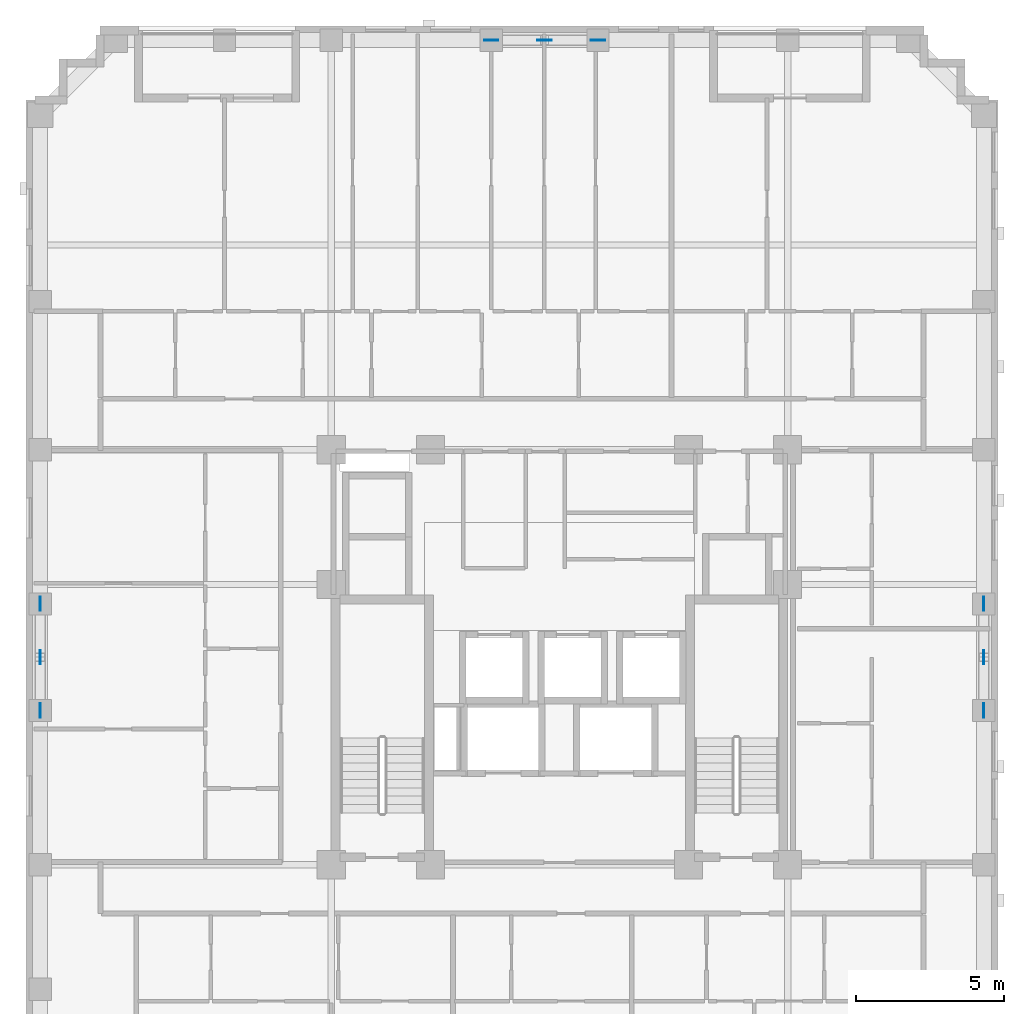
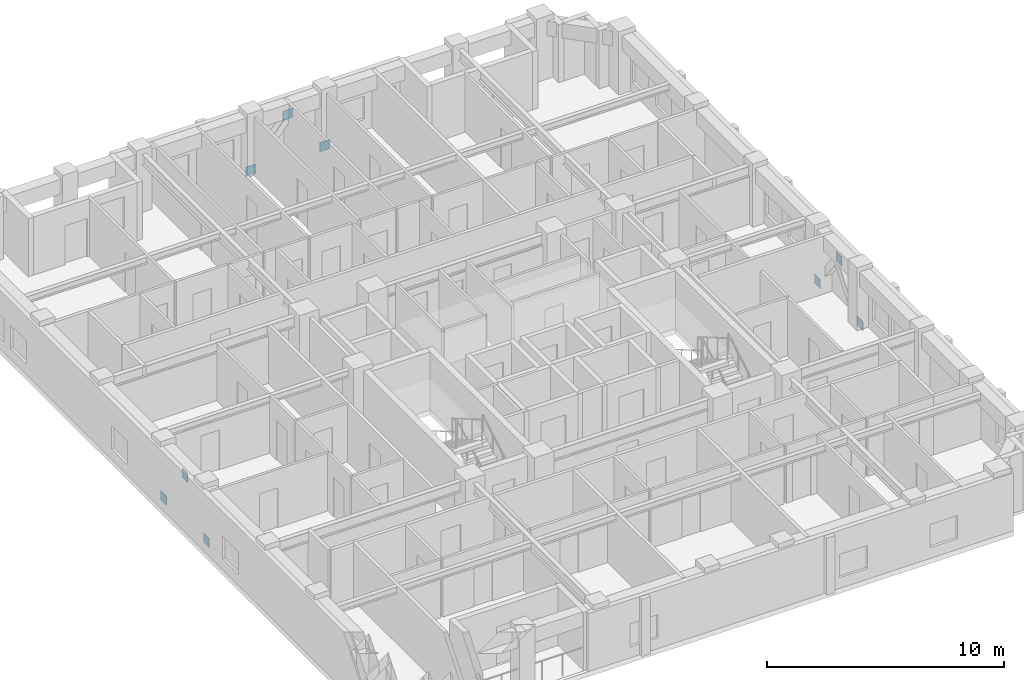
# One storey, part 9 of 11: 9 discrete accessories.
"""IFC4 building model written with IfcOpenShell, lengths in metres."""

from ifc_helpers import new_model, si_unit, derived_unit, direction, frame, origin, origin_2d, place, context, subcontext, project, spatial, rectangle, extrude, material, layer, layer_set, type_object, element, save


model = new_model("IFC4")

# Units and contexts
model_context = context("Model", 3, precision=1e-05, world=origin(), true_north=direction((0.0, 1.0)))
body_context = subcontext(model_context, "Body", "Model", "MODEL_VIEW")
ifc_project = project(units=[si_unit("LENGTHUNIT", "METRE"), si_unit("AREAUNIT", "SQUARE_METRE"), si_unit("VOLUMEUNIT", "CUBIC_METRE"), si_unit("PLANEANGLEUNIT", "RADIAN"), si_unit("MASSUNIT", "GRAM", prefix="KILO"), derived_unit("THERMALTRANSMITTANCEUNIT", [(si_unit("MASSUNIT", "GRAM", prefix="KILO"), 1), (si_unit("TIMEUNIT", "SECOND"), -3), (si_unit("THERMODYNAMICTEMPERATUREUNIT", "KELVIN"), -1)])], contexts=[model_context])

# Site, building, storey
site_placement = place(None, origin())
site = spatial("IfcSite", under=ifc_project, at=site_placement, CompositionType="ELEMENT")
building_placement = place(site_placement, origin())
building = spatial("IfcBuilding", under=site, at=building_placement, Name="Korrvale Station Residences", CompositionType="ELEMENT")
storey_placement = place(building_placement, frame((0.0, 0.0, 134.14990234375)))
storey = spatial("IfcBuildingStorey", under=building, at=storey_placement, Name="L38", CompositionType="ELEMENT", Elevation=134.14990234375)

# Discrete accessories
ifc_material = material(Name="Steel S355", Category="steel")
ifc_layer = layer(ifc_material, 0.02490234375, Name="Steel S355")
ifc_layer_set = layer_set([ifc_layer], Name="Steel S355")
discrete_accessory_type = type_object("IfcDiscreteAccessoryType", Name="ACC-GUSSET-25", PredefinedType="BRACKET", material=ifc_layer_set)
for number, where, z_axis, x_axis, name in (
    (1, (23.199951171875, 42.820068359375, -0.219970703125), (0.0, 0.0, 1.0), (1.0, 0.0, 0.0), "L38 N Brace End Gusset Connection A"),
    (2, (26.800048828125, 42.820068359375, -0.219970703125), (0.0, 0.0, 1.0), (1.0, 0.0, 0.0), "L38 N Brace End Gusset Connection B"),
    (3, (25.0, 42.820068359375, 2.02001953125), (0.0, 0.0, 1.0), (1.0, 0.0, 0.0), "L38 N Brace End Gusset Connection M"),
    (4, (7.97998046875, 20.199951171875, -0.219970703125), (0.0, 0.0, 1.0), (0.0, 1.0, 0.0), "L38 W Brace End Gusset Connection A"),
    (5, (7.97998046875, 23.800048828125, -0.219970703125), (0.0, 0.0, 1.0), (0.0, 1.0, 0.0), "L38 W Brace End Gusset Connection B"),
    (6, (7.97998046875, 22.0, 2.02001953125), (0.0, 0.0, 1.0), (0.0, 1.0, 0.0), "L38 W Brace End Gusset Connection M"),
    (7, (39.820068359375, 20.199951171875, -0.219970703125), (0.0, 0.0, 1.0), (0.0, 1.0, 0.0), "L38 E Brace End Gusset Connection A"),
    (8, (39.820068359375, 23.800048828125, -0.219970703125), (0.0, 0.0, 1.0), (0.0, 1.0, 0.0), "L38 E Brace End Gusset Connection B"),
    (9, (39.820068359375, 22.0, 2.02001953125), (0.0, 0.0, 1.0), (0.0, 1.0, 0.0), "L38 E Brace End Gusset Connection M"),
):
    element("IfcDiscreteAccessory", number, at=place(storey_placement, frame(where, z_axis=z_axis, x_axis=x_axis)), inside=storey, type_object=discrete_accessory_type, Name=name, PredefinedType="BRACKET", context=body_context, shape_type="SweptSolid", body=[
        extrude(rectangle(XDim=0.47998046875, YDim=0.02490234375, at=origin_2d()), origin(), (0.0, 0.0, 1.0), 0.47998046875),
    ])

save(model, "model.ifc")
